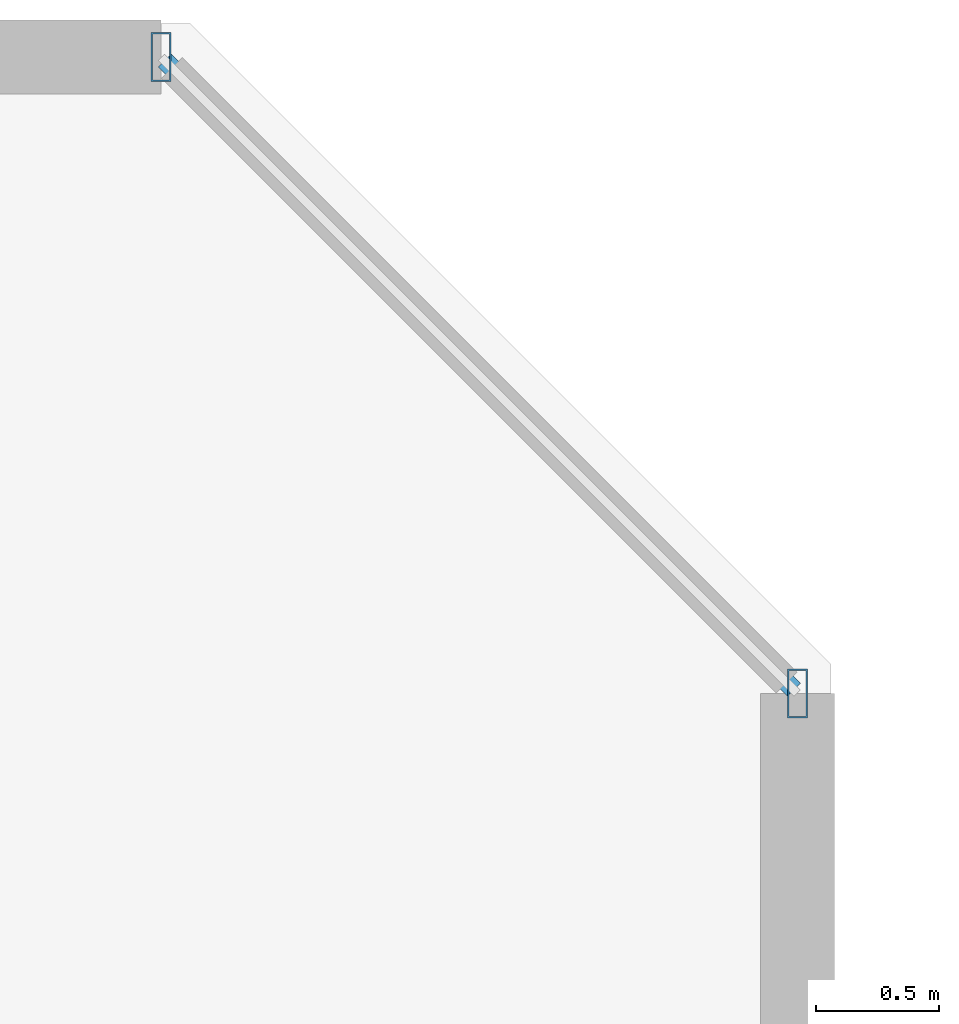
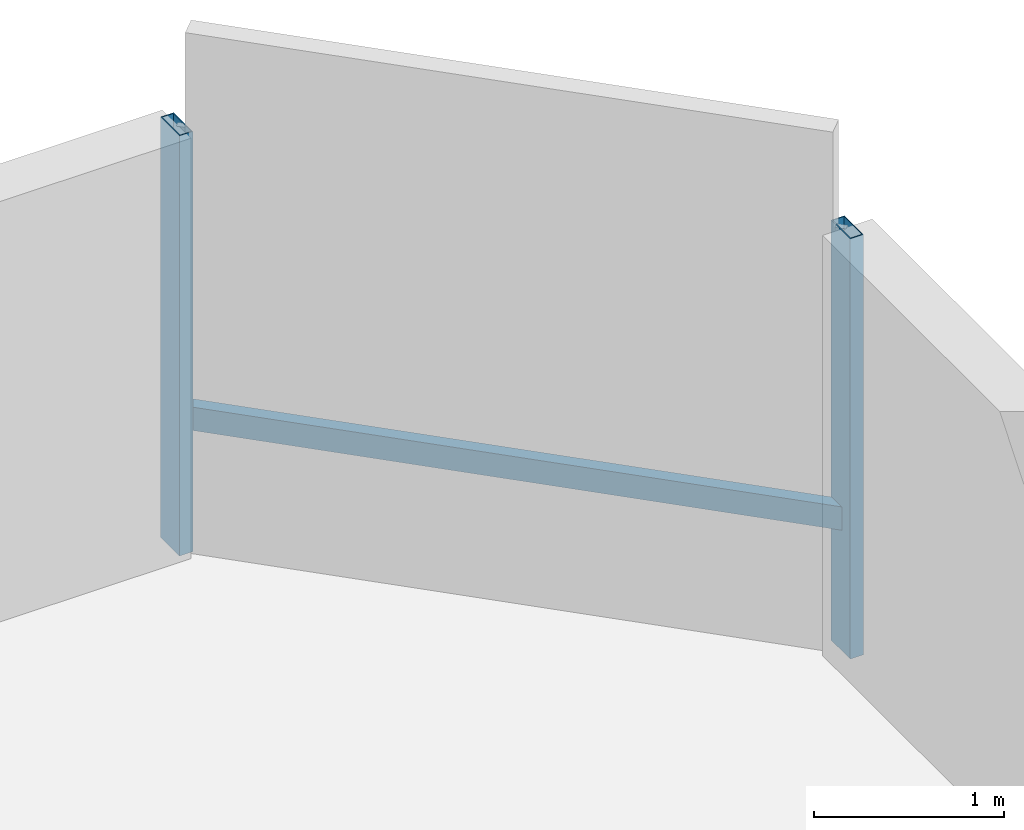
# One storey, part 16 of 33: 3 members, 1 element without a shape of its own.
"""IFC4 building model written with IfcOpenShell, lengths in metres."""

import ifcopenshell
import ifcopenshell.guid

model = None  # the IFC model being written
_history = None  # IfcOwnerHistory: only IFC2X3 demands one
_inside = {}  # id of a spatial element -> (the spatial element, [elements in it])
_under = {}  # id of a project, library or spatial element -> (it, [spatial elements below it])
_declared = {}  # id of a project -> (the project, [libraries it declares])
_typed = {}  # id of a type object -> (the type object, [elements of that type])
_made_of = {}  # id of a material, layer set ... -> (it, [elements and type objects made of it])


def new_model(schema):
    """Start an empty IFC model of exactly this schema.

    Asked for "IFC4X3", IfcOpenShell would pick the latest addendum, in which some entities
    have other attributes; the version numbers below select the first issue.
    IFC2X3 requires an IfcOwnerHistory on every rooted entity: one is made here for all.
    """
    global model, _history
    if schema == "IFC4X3":
        model = ifcopenshell.file(schema_version=(4, 3, 0, 0))
    else:
        model = ifcopenshell.file(schema=schema)
    _inside.clear()
    _under.clear()
    _declared.clear()
    _typed.clear()
    _made_of.clear()
    _history = None
    if model.schema == "IFC2X3":
        org = make("IfcOrganization", Name="unknown")
        user = make(
            "IfcPersonAndOrganization",
            ThePerson=make("IfcPerson", FamilyName="unknown"),
            TheOrganization=org,
        )
        app = make(
            "IfcApplication",
            ApplicationDeveloper=org,
            Version="unknown",
            ApplicationFullName="unknown",
            ApplicationIdentifier="unknown",
        )
        _history = make(
            "IfcOwnerHistory",
            OwningUser=user,
            OwningApplication=app,
            ChangeAction="ADDED",
            CreationDate=0,
        )
    return model


def make(cls, **values):
    """One entity of the class cls with the attributes given. An attribute that is None is left unset."""
    return model.create_entity(
        cls, **{name: value for name, value in values.items() if value is not None}
    )


def rooted(cls, **values):
    """An entity with a GlobalId (a new one), such as an element, a storey or a relation."""
    return make(cls, GlobalId=ifcopenshell.guid.new(), OwnerHistory=_history, **values)


def si_unit(unit_type, name, prefix=None):
    """IfcSIUnit, for example si_unit("LENGTHUNIT", "METRE", prefix="MILLI")."""
    return make("IfcSIUnit", UnitType=unit_type, Prefix=prefix, Name=name)


def assignment(units):
    """IfcUnitAssignment: the units of a project."""
    return None if units is None else make("IfcUnitAssignment", Units=units)


def point(xyz):
    """IfcCartesianPoint."""
    return None if xyz is None else make("IfcCartesianPoint", Coordinates=xyz)


def direction(xyz):
    """IfcDirection."""
    return None if xyz is None else make("IfcDirection", DirectionRatios=xyz)


def frame(location, z_axis=None, x_axis=None):
    """IfcAxis2Placement3D, a coordinate frame: its origin and axes. An axis left out is left unset."""
    return make(
        "IfcAxis2Placement3D",
        Location=point(location),
        Axis=direction(z_axis),
        RefDirection=direction(x_axis),
    )


def frame_2d(location, x_axis=None):
    """IfcAxis2Placement2D, a coordinate frame in the plane: its origin and x axis."""
    return make(
        "IfcAxis2Placement2D", Location=point(location), RefDirection=direction(x_axis)
    )


def origin():
    """The frame at (0, 0, 0) with its axes left unset."""
    return frame((0.0, 0.0, 0.0))


def origin_2d():
    """The frame at (0, 0) in the plane with its x axis left unset."""
    return frame_2d((0.0, 0.0))


def place(relative_to, where):
    """IfcLocalPlacement: puts the frame where relative to a parent placement (None: the world)."""
    return make(
        "IfcLocalPlacement", PlacementRelTo=relative_to, RelativePlacement=where
    )


def context(
    kind, dimensions, precision=None, world=None, true_north=None, identifier=None
):
    """IfcGeometricRepresentationContext, for example the 3D "Model" context."""
    return make(
        "IfcGeometricRepresentationContext",
        ContextIdentifier=identifier,
        ContextType=kind,
        CoordinateSpaceDimension=dimensions,
        Precision=precision,
        WorldCoordinateSystem=world,
        TrueNorth=true_north,
    )


def subcontext(parent, identifier, kind, view, scale=None):
    """IfcGeometricRepresentationSubContext, for example "Body" below "Model"."""
    return make(
        "IfcGeometricRepresentationSubContext",
        ContextIdentifier=identifier,
        ContextType=kind,
        ParentContext=parent,
        TargetScale=scale,
        TargetView=view,
    )


def project(units=None, contexts=None):
    """IfcProject with its units and contexts."""
    return rooted(
        "IfcProject",
        Name="project",
        RepresentationContexts=contexts,
        UnitsInContext=assignment(units),
    )


def spatial(cls, under=None, at=None, **own):
    """A site, building, storey or space (cls), placed at a placement, below another one or the project."""
    s = rooted(cls, ObjectPlacement=at, **own)
    if under is not None:
        _under.setdefault(under.id(), (under, []))[1].append(s)
    return s


def profile(cls, at=None, kind="AREA", **sizes):
    """A parametric profile (cls). Its sizes go by their IFC names, for example OverallWidth=200.0."""
    return make(cls, ProfileType=kind, Position=at, **sizes)


def hollow_rectangle(**sizes):
    """IfcRectangleHollowProfileDef."""
    return profile("IfcRectangleHollowProfileDef", **sizes)


def extrude(swept, where, along, depth):
    """IfcExtrudedAreaSolid: the profile swept, set in the frame where, extruded along a direction by depth."""
    return make(
        "IfcExtrudedAreaSolid",
        SweptArea=swept,
        Position=where,
        ExtrudedDirection=direction(along),
        Depth=depth,
    )


def shape(context_of_items, identifier, shape_type, items):
    """IfcShapeRepresentation: the items that make up one representation, for example the "Body"."""
    return make(
        "IfcShapeRepresentation",
        ContextOfItems=context_of_items,
        RepresentationIdentifier=identifier,
        RepresentationType=shape_type,
        Items=items,
    )


def material(Name=None, Category=None):
    """IfcMaterial."""
    return make("IfcMaterial", Name=Name, Category=Category)


def material_profile(
    of_material, cross_section, Name=None, Category=None, Priority=None
):
    """IfcMaterialProfile: a cross section and its material."""
    return make(
        "IfcMaterialProfile",
        Name=Name,
        Material=of_material,
        Profile=cross_section,
        Priority=Priority,
        Category=Category,
    )


def profile_set(profiles, Name=None, composite=None):
    """IfcMaterialProfileSet."""
    return make(
        "IfcMaterialProfileSet",
        Name=Name,
        MaterialProfiles=profiles,
        CompositeProfile=composite,
    )


def made_of(thing, what):
    """Note that an element or type object is made of a material, layer set ...; save() writes the relation."""
    if what is not None:
        _made_of.setdefault(what.id(), (what, []))[1].append(thing)
    return thing


def type_object(cls, material=None, **own):
    """A type object (cls), such as IfcWallType, which elements share."""
    return made_of(rooted(cls, **own), material)


def element(
    cls,
    number,
    at=None,
    inside=None,
    cuts=None,
    type_object=None,
    material=None,
    context=None,
    identifier="Body",
    shape_type=None,
    held_by="IfcProductDefinitionShape",
    body=None,
    shapes=None,
    **own,
):
    """One element of the class cls, such as IfcWall. Its Tag is "e" and its number.

    at: its placement. inside: the storey or other place that contains it. cuts: it is an
    opening in that element (IfcRelVoidsElement). A single representation is given by context,
    identifier, shape_type and body (its items); several are given by shapes. held_by: the class
    of the entity that holds the representations. save() writes the other relations.
    """
    e = rooted(cls, Tag="e%d" % number, ObjectPlacement=at, **own)
    if body is not None:
        shapes = [shape(context, identifier, shape_type, body)]
    if shapes is not None:
        e.Representation = make(held_by, Representations=shapes)
    if inside is not None:
        _inside.setdefault(inside.id(), (inside, []))[1].append(e)
    if cuts is not None:
        rooted(
            "IfcRelVoidsElement", RelatingBuildingElement=cuts, RelatedOpeningElement=e
        )
    if type_object is not None:
        _typed.setdefault(type_object.id(), (type_object, []))[1].append(e)
    return made_of(e, material)


def aggregate(whole, parts):
    """IfcRelAggregates: a whole, such as a stair, and the parts it consists of."""
    return rooted("IfcRelAggregates", RelatingObject=whole, RelatedObjects=parts)


def save(model, path):
    """Write the relations noted so far, then the file.

    IfcRelAggregates (storeys below a building ...), IfcRelContainedInSpatialStructure (elements
    in a storey), IfcRelDefinesByType, IfcRelAssociatesMaterial and IfcRelDeclares: one each for
    every whole, place, type object, material and project.
    """
    for whole, parts in _under.values():
        aggregate(whole, parts)
    for where, things in _inside.values():
        rooted(
            "IfcRelContainedInSpatialStructure",
            RelatedElements=things,
            RelatingStructure=where,
        )
    for kind, things in _typed.values():
        rooted("IfcRelDefinesByType", RelatedObjects=things, RelatingType=kind)
    for what, things in _made_of.values():
        rooted("IfcRelAssociatesMaterial", RelatedObjects=things, RelatingMaterial=what)
    for by, libraries in _declared.values():
        rooted("IfcRelDeclares", RelatingContext=by, RelatedDefinitions=libraries)
    model.write(path)


model = new_model("IFC4")

# Units and contexts
model_context = context("Model", 3, precision=1e-05, world=origin(), true_north=direction((0.0, 1.0)))
body_context = subcontext(model_context, "Body", "Model", "MODEL_VIEW")
ifc_project = project(units=[si_unit("LENGTHUNIT", "METRE"), si_unit("AREAUNIT", "SQUARE_METRE"), si_unit("VOLUMEUNIT", "CUBIC_METRE"), si_unit("PLANEANGLEUNIT", "RADIAN"), si_unit("MASSUNIT", "GRAM", prefix="KILO")], contexts=[model_context])

# Site, building, storey
site_placement = place(None, origin())
site = spatial("IfcSite", under=ifc_project, at=site_placement, CompositionType="ELEMENT")
building_placement = place(site_placement, origin())
building = spatial("IfcBuilding", under=site, at=building_placement, Name="Thornwick Lancets Civic Towers", CompositionType="ELEMENT")
storey_placement = place(building_placement, frame((0.0, 0.0, 134.10009765625)))
storey = spatial("IfcBuildingStorey", under=building, at=storey_placement, Name="L35", CompositionType="ELEMENT", Elevation=134.10009765625)

# Curtain wall, members
ifc_material_1 = material(Name="Mid-zone chamfered-corner unitised glass curtain wall", Category="glass")
curtain_wall_type = type_object("IfcCurtainWallType", Name="CW_SYS_04", PredefinedType="NOTDEFINED", material=ifc_material_1)
curtain_wall_placement = place(storey_placement, origin())
curtain_wall = element("IfcCurtainWall", 1, at=curtain_wall_placement, inside=storey, type_object=curtain_wall_type, Name="L35 Curtain Wall CW-L35-B-E3", PredefinedType="NOTDEFINED")
ifc_material_2 = material(Name="Thermally broken bronze aluminium S355", Category="steel")
ifc_material_profile_1 = material_profile(ifc_material_2, hollow_rectangle(XDim=0.080078125, YDim=0.199951171875, WallThickness=0.006103515625, at=origin_2d()), Name="RHS 200x80x6")
ifc_profile_set_1 = profile_set([ifc_material_profile_1], Name="Thermally broken bronze aluminium S355")
member_type_1 = type_object("IfcMemberType", Name="CW_MUL_200", PredefinedType="MULLION", material=ifc_profile_set_1)
member_1_placement = place(storey_placement, frame((112.2646484375, 42.181396484375, 0.0), z_axis=(0.0, 0.0, 1.0), x_axis=(1.0, 0.0, 0.0)))
member_1 = element("IfcMember", 2, at=member_1_placement, type_object=member_type_1, Name="CW-L35-B-E3 Mullion 0", PredefinedType="MULLION", context=body_context, shape_type="SweptSolid", body=[
    extrude(hollow_rectangle(XDim=0.080078125, YDim=0.199951171875, WallThickness=0.006103515625, at=origin_2d()), origin(), (0.0, 0.0, 1.0), 2.699951171875),
])
member_2_placement = place(storey_placement, frame((109.681396484375, 44.7646484375, 0.0), z_axis=(0.0, 0.0, 1.0), x_axis=(1.0, 0.0, 0.0)))
member_2 = element("IfcMember", 3, at=member_2_placement, type_object=member_type_1, Name="CW-L35-B-E3 Mullion 1", PredefinedType="MULLION", context=body_context, shape_type="SweptSolid", body=[
    extrude(hollow_rectangle(XDim=0.080078125, YDim=0.199951171875, WallThickness=0.006103515625, at=origin_2d()), origin(), (0.0, 0.0, 1.0), 2.699951171875),
])
ifc_material_profile_2 = material_profile(ifc_material_2, hollow_rectangle(XDim=0.074951171875, YDim=0.14990234375, WallThickness=0.0048828125, at=origin_2d()), Name="RHS 150x75x5")
ifc_profile_set_2 = profile_set([ifc_material_profile_2], Name="Thermally broken bronze aluminium S355")
member_type_2 = type_object("IfcMemberType", Name="CW_TRN_150", PredefinedType="USERDEFINED", material=ifc_profile_set_2)
member_3_placement = place(storey_placement, frame((112.25048828125, 42.195556640625, 0.849853515625), z_axis=(-0.707106781187, 0.707106781187, 0.0), x_axis=(-0.707106781187, -0.707106781187, 0.0)))
member_3 = element("IfcMember", 4, at=member_3_placement, type_object=member_type_2, Name="CW-L35-B-E3 Transom 0", ObjectType="TRANSOM", PredefinedType="USERDEFINED", context=body_context, shape_type="SweptSolid", body=[
    extrude(hollow_rectangle(XDim=0.074951171875, YDim=0.14990234375, WallThickness=0.0048828125, at=origin_2d()), origin(), (0.0, 0.0, 1.0), 3.61328125),
])
aggregate(curtain_wall, [member_1, member_2, member_3])

save(model, "model.ifc")
